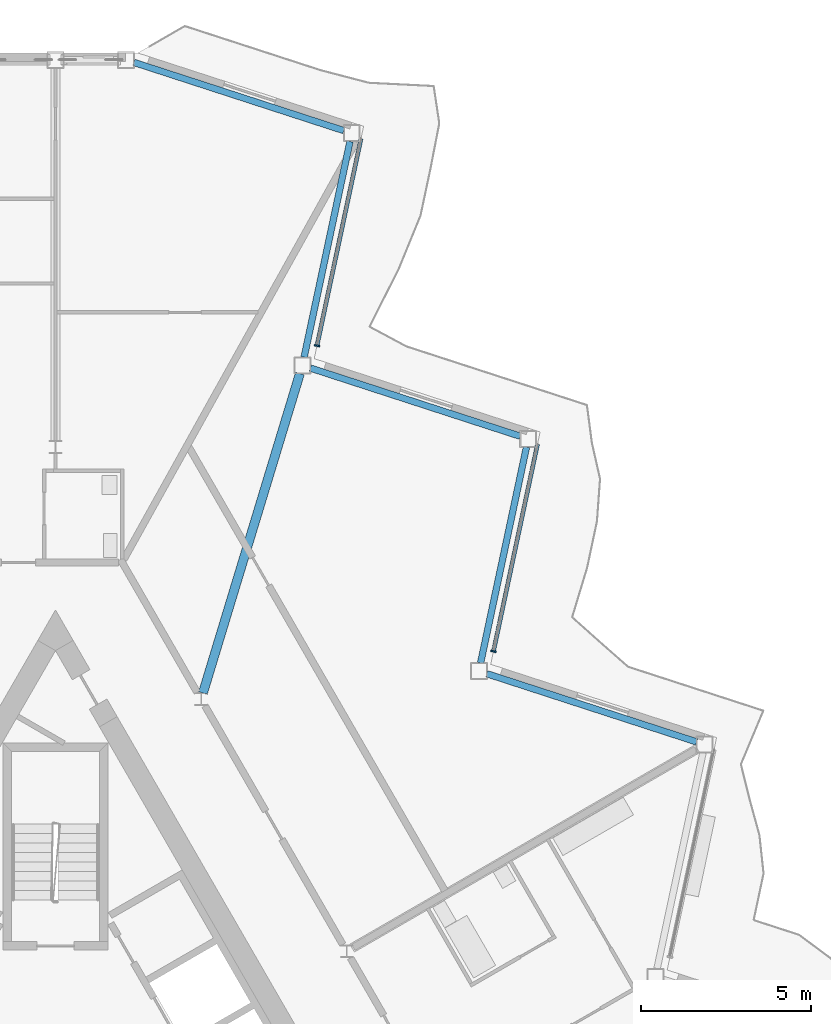
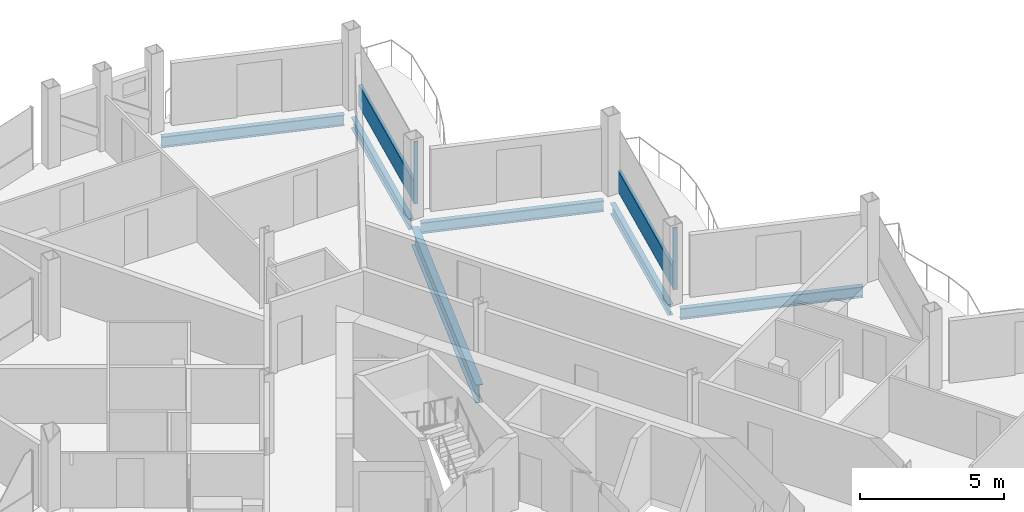
# One storey, part 10 of 26: 6 beams, 4 members, 2 elements without a shape of their own.
"""IFC4 building model written with IfcOpenShell, lengths in metres."""

from ifc_helpers import new_model, si_unit, direction, frame, origin, origin_2d, place, context, subcontext, project, spatial, rectangle, i_section, extrude, material, layer, layer_set, material_profile, profile_set, type_object, element, aggregate, save


model = new_model("IFC4")

# Units and contexts
model_context = context("Model", 3, precision=1e-05, world=origin(), true_north=direction((0.0, 1.0)))
body_context = subcontext(model_context, "Body", "Model", "MODEL_VIEW")
ifc_project = project(units=[si_unit("LENGTHUNIT", "METRE"), si_unit("AREAUNIT", "SQUARE_METRE"), si_unit("VOLUMEUNIT", "CUBIC_METRE"), si_unit("PLANEANGLEUNIT", "RADIAN"), si_unit("MASSUNIT", "GRAM", prefix="KILO")], contexts=[model_context])

# Site, building, storey
site_placement = place(None, origin())
site = spatial("IfcSite", under=ifc_project, at=site_placement, CompositionType="ELEMENT")
building_placement = place(site_placement, origin())
building = spatial("IfcBuilding", under=site, at=building_placement, Name="Cormorant Prow Tower", CompositionType="ELEMENT")
storey_placement = place(building_placement, frame((0.0, 0.0, 384.800048828125)))
storey = spatial("IfcBuildingStorey", under=building, at=storey_placement, Name="L87", CompositionType="ELEMENT", Elevation=384.800048828125)

# Beam
ifc_material_1 = material(Name="Structural steel ASTM A992 Gr 50", Category="steel")
ifc_material_profile_1 = material_profile(ifc_material_1, i_section(OverallWidth=0.267822265625, OverallDepth=0.77001953125, WebThickness=0.015625, FlangeThickness=0.025390625, at=origin_2d()), Name="W30x132")
ifc_profile_set_1 = profile_set([ifc_material_profile_1], Name="Structural steel ASTM A992 Gr 50")
beam_type_1 = type_object("IfcBeamType", Name="Radial floor beam W30x132", PredefinedType="BEAM", material=ifc_profile_set_1)
beam_1_placement = place(storey_placement, frame((4.343505859375, 12.560791015625, -0.68505859375), z_axis=(0.290499864147, 0.956875033079, 0.0), x_axis=(-0.956875033079, 0.290499864147, 0.0)))
element("IfcBeam", 1, at=beam_1_placement, inside=storey, type_object=beam_type_1, Name="Radial floor beam FB3 12 L87", PredefinedType="BEAM", context=body_context, shape_type="SweptSolid", body=[
    extrude(i_section(OverallWidth=0.267822265625, OverallDepth=0.77001953125, WebThickness=0.015625, FlangeThickness=0.025390625, at=origin_2d()), origin(), (0.0, 0.0, 1.0), 9.837158203125),
])

# Curtain wall, member
ifc_material_2 = material(Name="Aluminium 6063-T6", Category="aluminium")
ifc_layer = layer(ifc_material_2, 0.159912109375)
ifc_layer_set = layer_set([ifc_layer], Name="Aluminium 6063-T6")
curtain_wall_type = type_object("IfcCurtainWallType", Name="Residential unitised curtain wall 160", PredefinedType="NOTDEFINED", material=ifc_layer_set)
curtain_wall_1_placement = place(storey_placement, origin())
curtain_wall_1 = element("IfcCurtainWall", 2, at=curtain_wall_1_placement, inside=storey, type_object=curtain_wall_type, Name="Residential curtain wall ENE06", PredefinedType="NOTDEFINED")
ifc_material_3 = material(Name="Aluminium 6063-T6", Category="aluminium")
ifc_material_profile_2 = material_profile(ifc_material_3, rectangle(XDim=0.159912109375, YDim=0.050048828125, at=origin_2d()), Name="Residential mullion 50x160")
ifc_profile_set_2 = profile_set([ifc_material_profile_2], Name="Aluminium 6063-T6")
member_type_1 = type_object("IfcMemberType", Name="Residential mullion 50x160", PredefinedType="MULLION", material=ifc_profile_set_2)
member_1_placement = place(storey_placement, frame((12.905029296875, 13.79052734375, 0.0), z_axis=(0.0, 0.0, 1.0), x_axis=(-0.978147586701, 0.207911756835, 0.0)))
member_1 = element("IfcMember", 3, at=member_1_placement, type_object=member_type_1, Name="Residential mullion ENE06", PredefinedType="MULLION", context=body_context, shape_type="SweptSolid", body=[
    extrude(rectangle(XDim=0.159912109375, YDim=0.050048828125, at=origin_2d()), origin(), (0.0, 0.0, 1.0), 2.6337890625),
])

curtain_wall_2_placement = place(storey_placement, origin())
curtain_wall_2 = element("IfcCurtainWall", 4, at=curtain_wall_2_placement, inside=storey, type_object=curtain_wall_type, Name="Residential curtain wall ENE08", PredefinedType="NOTDEFINED")
member_2_placement = place(storey_placement, frame((7.704833984375, 22.79736328125, 0.0), z_axis=(0.0, 0.0, 1.0), x_axis=(-0.978147580525, 0.207911785891, 0.0)))
member_2 = element("IfcMember", 5, at=member_2_placement, type_object=member_type_1, Name="Residential mullion ENE08", PredefinedType="MULLION", context=body_context, shape_type="SweptSolid", body=[
    extrude(rectangle(XDim=0.159912109375, YDim=0.050048828125, at=origin_2d()), origin(), (0.0, 0.0, 1.0), 2.6337890625),
])

# Member
ifc_material_4 = material(Name="Terracotta", Category="masonry")
ifc_material_profile_3 = material_profile(ifc_material_4, rectangle(XDim=0.1201171875, YDim=0.89990234375, at=origin_2d()), Name="Residential terracotta spandrel rail 120x900")
ifc_profile_set_3 = profile_set([ifc_material_profile_3], Name="Terracotta")
member_type_2 = type_object("IfcMemberType", Name="Residential terracotta spandrel rail 120x900", PredefinedType="USERDEFINED", material=ifc_profile_set_3)
member_3_placement = place(storey_placement, frame((12.91015625, 13.815185546875, 0.449951171875), z_axis=(0.207916541247, 0.978146569731, 0.0), x_axis=(-0.978146569731, 0.207916541247, 0.0)))
member_3 = element("IfcMember", 6, at=member_3_placement, type_object=member_type_2, Name="Residential spandrel rail ENE06", ObjectType="TRANSOM", PredefinedType="USERDEFINED", context=body_context, shape_type="SweptSolid", body=[
    extrude(rectangle(XDim=0.1201171875, YDim=0.89990234375, at=origin_2d()), origin(), (0.0, 0.0, 1.0), 6.215087890625),
])

aggregate(curtain_wall_1, [member_1, member_3])

member_4_placement = place(storey_placement, frame((7.710205078125, 22.82177734375, 0.449951171875), z_axis=(0.207916541247, 0.978146569731, 0.0), x_axis=(-0.978146569731, 0.207916541247, 0.0)))
member_4 = element("IfcMember", 7, at=member_4_placement, type_object=member_type_2, Name="Residential spandrel rail ENE08", ObjectType="TRANSOM", PredefinedType="USERDEFINED", context=body_context, shape_type="SweptSolid", body=[
    extrude(rectangle(XDim=0.1201171875, YDim=0.89990234375, at=origin_2d()), origin(), (0.0, 0.0, 1.0), 6.215087890625),
])

aggregate(curtain_wall_2, [member_2, member_4])

# Beams
ifc_material_5 = material(Name="Structural steel ASTM A992 Gr 50", Category="steel")
ifc_material_profile_4 = material_profile(ifc_material_5, i_section(OverallWidth=0.19287109375, OverallDepth=0.466064453125, WebThickness=0.011474609375, FlangeThickness=0.01904296875, at=origin_2d()), Name="W18x65")
ifc_profile_set_4 = profile_set([ifc_material_profile_4], Name="Structural steel ASTM A992 Gr 50")
beam_type_2 = type_object("IfcBeamType", Name="Spandrel beam W18x65", PredefinedType="SPANDREL", material=ifc_profile_set_4)
beam_2_placement = place(storey_placement, frame((18.890869140625, 11.12109375, -0.533203125), z_axis=(-0.951053396625, 0.309026595569, 0.0), x_axis=(-0.309026595569, -0.951053396625, 0.0)))
element("IfcBeam", 8, at=beam_2_placement, inside=storey, type_object=beam_type_2, Name="Spandrel beam SB4 ENE05-ENE06 L87", PredefinedType="SPANDREL", context=body_context, shape_type="SweptSolid", body=[
    extrude(i_section(OverallWidth=0.19287109375, OverallDepth=0.466064453125, WebThickness=0.011474609375, FlangeThickness=0.01904296875, at=origin_2d()), origin(), (0.0, 0.0, 1.0), 6.497314453125),
])
beam_3_placement = place(storey_placement, frame((12.52587890625, 13.45068359375, -0.533203125), z_axis=(0.207901897373, 0.978149682344, 0.0), x_axis=(-0.978149682344, 0.207901897373, 0.0)))
element("IfcBeam", 9, at=beam_3_placement, inside=storey, type_object=beam_type_2, Name="Spandrel beam SB4 ENE06-ENE07 L87", PredefinedType="SPANDREL", context=body_context, shape_type="SweptSolid", body=[
    extrude(i_section(OverallWidth=0.19287109375, OverallDepth=0.466064453125, WebThickness=0.011474609375, FlangeThickness=0.01904296875, at=origin_2d()), origin(), (0.0, 0.0, 1.0), 6.49755859375),
])
beam_4_placement = place(storey_placement, frame((13.69091796875, 20.1279296875, -0.533203125), z_axis=(-0.951068027308, 0.308981564875, 0.0), x_axis=(-0.308981564875, -0.951068027308, 0.0)))
element("IfcBeam", 10, at=beam_4_placement, inside=storey, type_object=beam_type_2, Name="Spandrel beam SB4 ENE07-ENE08 L87", PredefinedType="SPANDREL", context=body_context, shape_type="SweptSolid", body=[
    extrude(i_section(OverallWidth=0.19287109375, OverallDepth=0.466064453125, WebThickness=0.011474609375, FlangeThickness=0.01904296875, at=origin_2d()), origin(), (0.0, 0.0, 1.0), 6.497314453125),
])
for number, where, z_axis, x_axis, name in (
    (11, (7.32568359375, 22.457275390625, -0.533203125), (0.20793784774, 0.978142040543, 0.0), (-0.978142040543, 0.20793784774, 0.0), "Spandrel beam SB4 ENE08-ENE09 L87"),
    (12, (8.490966796875, 29.134521484375, -0.533203125), (-0.951056984862, 0.30901555227, 0.0), (-0.30901555227, -0.951056984862, 0.0), "Spandrel beam SB4 ENE09-N00 L87"),
):
    element("IfcBeam", number, at=place(storey_placement, frame(where, z_axis=z_axis, x_axis=x_axis)), inside=storey, type_object=beam_type_2, Name=name, PredefinedType="SPANDREL", context=body_context, shape_type="SweptSolid", body=[
        extrude(i_section(OverallWidth=0.19287109375, OverallDepth=0.466064453125, WebThickness=0.011474609375, FlangeThickness=0.01904296875, at=origin_2d()), origin(), (0.0, 0.0, 1.0), 6.49755859375),
    ])

save(model, "model.ifc")
